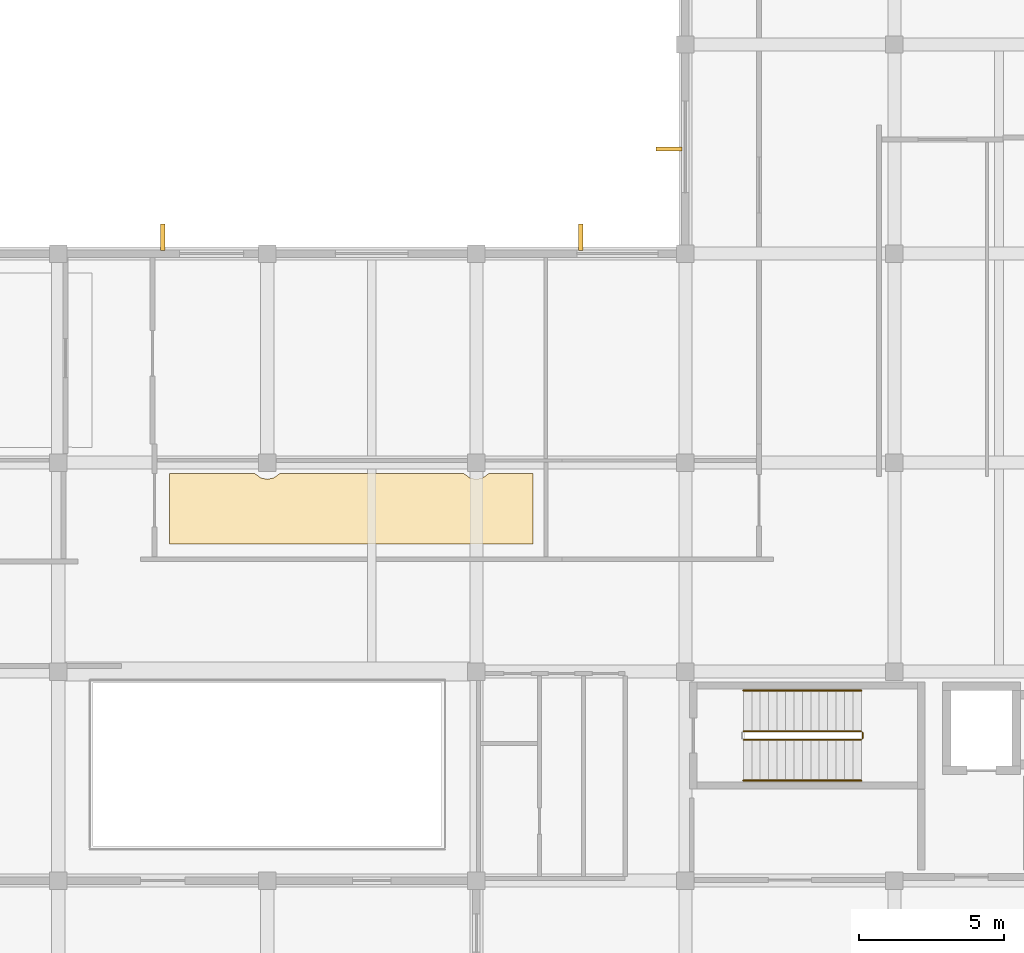
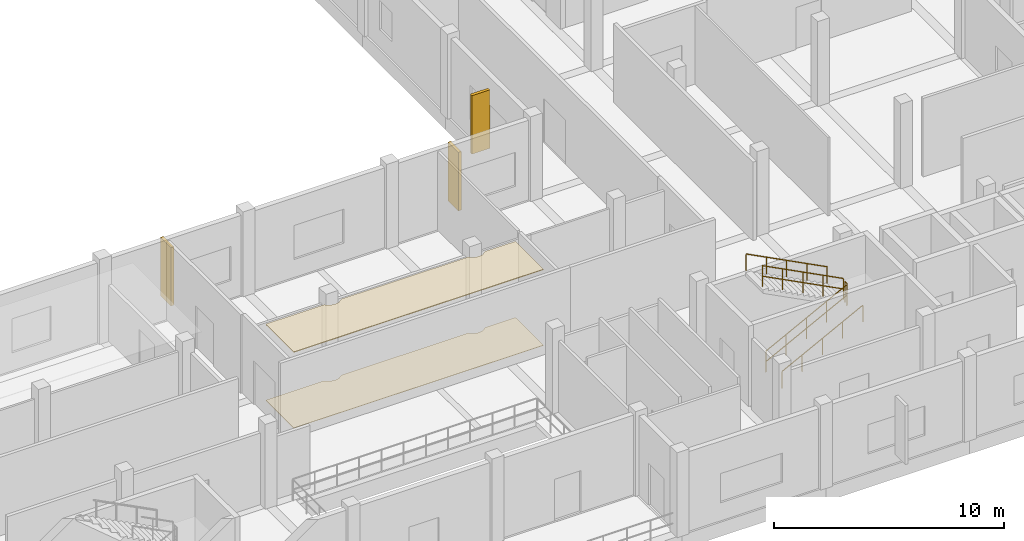
# One storey, part 10 of 14: 5 railings, 3 shading devices, 2 coverings.
"""IFC4 building model written with IfcOpenShell, lengths in metres."""

from ifc_helpers import new_model, si_unit, direction, frame, origin, origin_2d, place, context, subcontext, project, spatial, polyline, rectangle, circle, outline, extrude, material, layer, layer_set, type_object, element, save


model = new_model("IFC4")

# Units and contexts
model_context = context("Model", 3, precision=1e-05, world=origin(), true_north=direction((0.0, 1.0)))
body_context = subcontext(model_context, "Body", "Model", "MODEL_VIEW")
ifc_project = project(units=[si_unit("LENGTHUNIT", "METRE"), si_unit("AREAUNIT", "SQUARE_METRE"), si_unit("VOLUMEUNIT", "CUBIC_METRE"), si_unit("PLANEANGLEUNIT", "RADIAN"), si_unit("MASSUNIT", "GRAM", prefix="KILO")], contexts=[model_context])

# Site, building, storey
site_placement = place(None, origin())
site = spatial("IfcSite", under=ifc_project, at=site_placement, CompositionType="ELEMENT")
building_placement = place(site_placement, origin())
building = spatial("IfcBuilding", under=site, at=building_placement, Name="Seraya Terrace Polytechnic", CompositionType="ELEMENT")
storey_placement = place(building_placement, frame((0.0, 0.0, 27.89990234375)))
storey = spatial("IfcBuildingStorey", under=building, at=storey_placement, Name="L06", CompositionType="ELEMENT", Elevation=27.89990234375)

# Shading devices
ifc_material_1 = material(Name="Precast concrete C40/50", Category="concrete")
shading_device_type = type_object("IfcShadingDeviceType", Name="BS-F1", PredefinedType="JALOUSIE", material=ifc_material_1)
for number, where, z_axis, x_axis, name in (
    (1, (61.199951171875, 29.360107421875, 0.449951171875), (0.0, 0.0, 1.0), (0.0, 1.0, 0.0), "Precast concrete brise-soleil fin L06"),
    (2, (75.60009765625, 29.360107421875, 0.449951171875), (0.0, 0.0, 1.0), (0.0, 1.0, 0.0), "Precast concrete brise-soleil fin L06"),
    (3, (78.639892578125, 32.39990234375, 0.449951171875), (0.0, 0.0, 1.0), (-1.0, 0.0, 0.0), "Precast concrete brise-soleil fin L06"),
):
    element("IfcShadingDevice", number, at=place(storey_placement, frame(where, z_axis=z_axis, x_axis=x_axis)), inside=storey, type_object=shading_device_type, Name=name, PredefinedType="JALOUSIE", context=body_context, shape_type="SweptSolid", body=[
        extrude(rectangle(XDim=0.89990234375, YDim=0.14990234375, at=origin_2d()), origin(), (0.0, 0.0, 1.0), 3.10009765625),
    ])

# Coverings
ifc_material_2 = material(Name="Acoustic mineral fibre and timber baffle ceiling", Category="wood")
ifc_layer_1 = layer(ifc_material_2, 0.0400390625, Name="CL-01")
ifc_layer_set_1 = layer_set([ifc_layer_1], Name="Acoustic mineral fibre and timber baffle ceiling")
covering_type_1 = type_object("IfcCoveringType", Name="CL-01", PredefinedType="CEILING", material=ifc_layer_set_1)
covering_1_placement = place(storey_placement, frame((0.0, 0.0, 4.010009765625)))
element("IfcCovering", 4, at=covering_1_placement, inside=storey, type_object=covering_type_1, Name="Acoustic suspended ceiling L06-A03", PredefinedType="CEILING", context=body_context, shape_type="SweptSolid", body=[
    extrude(outline(polyline([(61.43994140625, 21.223388671875), (64.3671875, 21.223388671875), (64.580078125, 21.0693359375), (64.800048828125, 21.025634765625), (65.019775390625, 21.0693359375), (65.232666015625, 21.223388671875), (71.5673828125, 21.223388671875), (71.7802734375, 21.0693359375), (72.0, 21.025634765625), (72.2197265625, 21.0693359375), (72.4326171875, 21.223388671875), (73.949951171875, 21.223388671875), (73.949951171875, 18.7900390625), (61.43994140625, 18.7900390625), (61.43994140625, 21.223388671875)])), origin(), (0.0, 0.0, 1.0), 0.0400390625),
])
ifc_material_3 = material(Name="Heavy-duty epoxy and terrazzo floor finish")
ifc_layer_2 = layer(ifc_material_3, 0.02001953125, Name="FL-C1")
ifc_layer_set_2 = layer_set([ifc_layer_2], Name="Heavy-duty epoxy and terrazzo floor finish")
covering_type_2 = type_object("IfcCoveringType", Name="FL-C1", PredefinedType="FLOORING", material=ifc_layer_set_2)
covering_2_placement = place(storey_placement, origin())
element("IfcCovering", 5, at=covering_2_placement, inside=storey, type_object=covering_type_2, Name="Floor finish L06-A03", PredefinedType="FLOORING", context=body_context, shape_type="SweptSolid", body=[
    extrude(outline(polyline([(61.43994140625, 21.223388671875), (64.3671875, 21.223388671875), (64.580078125, 21.0693359375), (64.800048828125, 21.025634765625), (65.019775390625, 21.0693359375), (65.232666015625, 21.223388671875), (71.5673828125, 21.223388671875), (71.7802734375, 21.0693359375), (72.0, 21.025634765625), (72.2197265625, 21.0693359375), (72.4326171875, 21.223388671875), (73.949951171875, 21.223388671875), (73.949951171875, 18.7900390625), (61.43994140625, 18.7900390625), (61.43994140625, 21.223388671875)])), origin(), (0.0, 0.0, 1.0), 0.02001953125),
])

# Railings
ifc_material_4 = material(Name="Steel S355J2", Category="steel")
railing_type_1 = type_object("IfcRailingType", Name="GR-02", PredefinedType="GUARDRAIL", material=ifc_material_4)
railing_1_placement = place(storey_placement, frame((81.199951171875, 12.050048828125, 0.150146484375)))
element("IfcRailing", 6, at=railing_1_placement, inside=storey, type_object=railing_type_1, Name="L06 ST-01 stair guard 1", PredefinedType="GUARDRAIL", context=body_context, shape_type="SweptSolid", body=[
    extrude(circle(Radius=0.02392578125, at=origin_2d()), frame((0.0, 0.0, 1.10595703125), z_axis=(0.888233425583, 0.0, 0.459392404897), x_axis=(0.0, 1.0, 0.0)), (0.0, 0.0, 1.0), 4.571044921875),
    extrude(circle(Radius=0.02392578125, at=origin_2d()), frame((0.0, 0.0, 0.550048828125), z_axis=(0.888233425583, 0.0, 0.459392404897), x_axis=(0.0, 1.0, 0.0)), (0.0, 0.0, 1.0), 4.571044921875),
    extrude(circle(Radius=0.02099609375, at=origin_2d()), origin(), (0.0, 0.0, 1.0), 1.081787109375),
    extrude(circle(Radius=0.02099609375, at=origin_2d()), frame((1.01513671875, 0.0, 0.52490234375)), (0.0, 0.0, 1.0), 1.081787109375),
    extrude(circle(Radius=0.02099609375, at=origin_2d()), frame((2.030029296875, 0.0, 1.0498046875)), (0.0, 0.0, 1.0), 1.081787109375),
    extrude(circle(Radius=0.02099609375, at=origin_2d()), frame((3.044921875, 0.0, 1.574951171875)), (0.0, 0.0, 1.0), 1.081787109375),
    extrude(circle(Radius=0.02099609375, at=origin_2d()), frame((4.06005859375, 0.0, 2.099853515625)), (0.0, 0.0, 1.0), 1.081787109375),
])
railing_2_placement = place(storey_placement, frame((85.31005859375, 12.10009765625, 2.25)))
element("IfcRailing", 7, at=railing_2_placement, inside=storey, type_object=railing_type_1, Name="L06 ST-01 stair guard 2", PredefinedType="GUARDRAIL", context=body_context, shape_type="SweptSolid", body=[
    extrude(circle(Radius=0.02392578125, at=origin_2d()), frame((0.0, 0.0, 1.10595703125), z_axis=(0.0, 1.0, 0.0), x_axis=(-1.0, 0.0, 0.0)), (0.0, 0.0, 1.0), 0.199951171875),
    extrude(circle(Radius=0.02392578125, at=origin_2d()), frame((0.0, 0.0, 0.550048828125), z_axis=(0.0, 1.0, 0.0), x_axis=(-1.0, 0.0, 0.0)), (0.0, 0.0, 1.0), 0.199951171875),
    extrude(circle(Radius=0.02099609375, at=origin_2d()), origin(), (0.0, 0.0, 1.0), 1.081787109375),
    extrude(circle(Radius=0.02099609375, at=origin_2d()), frame((0.0, 0.199951171875, 0.0)), (0.0, 0.0, 1.0), 1.081787109375),
])
railing_3_placement = place(storey_placement, frame((85.260009765625, 12.35009765625, 2.400146484375)))
element("IfcRailing", 8, at=railing_3_placement, inside=storey, type_object=railing_type_1, Name="L06 ST-01 stair guard 3", PredefinedType="GUARDRAIL", context=body_context, shape_type="SweptSolid", body=[
    extrude(circle(Radius=0.02392578125, at=origin_2d()), frame((0.0, 0.0, 1.10595703125), z_axis=(-0.888233425583, 0.0, 0.459392404897), x_axis=(0.0, -1.0, 0.0)), (0.0, 0.0, 1.0), 4.571044921875),
    extrude(circle(Radius=0.02392578125, at=origin_2d()), frame((0.0, 0.0, 0.550048828125), z_axis=(-0.888233425583, 0.0, 0.459392404897), x_axis=(0.0, -1.0, 0.0)), (0.0, 0.0, 1.0), 4.571044921875),
    extrude(circle(Radius=0.02099609375, at=origin_2d()), origin(), (0.0, 0.0, 1.0), 1.081787109375),
    extrude(circle(Radius=0.02099609375, at=origin_2d()), frame((-1.01513671875, 0.0, 0.52490234375)), (0.0, 0.0, 1.0), 1.081787109375),
    extrude(circle(Radius=0.02099609375, at=origin_2d()), frame((-2.030029296875, 0.0, 1.0498046875)), (0.0, 0.0, 1.0), 1.081787109375),
    extrude(circle(Radius=0.02099609375, at=origin_2d()), frame((-3.044921875, 0.0, 1.574951171875)), (0.0, 0.0, 1.0), 1.081787109375),
    extrude(circle(Radius=0.02099609375, at=origin_2d()), frame((-4.06005859375, 0.0, 2.099853515625)), (0.0, 0.0, 1.0), 1.081787109375),
])
railing_type_2 = type_object("IfcRailingType", Name="HR-01", PredefinedType="HANDRAIL", material=ifc_material_4)
railing_4_placement = place(storey_placement, frame((81.199951171875, 10.64990234375, 0.150146484375)))
element("IfcRailing", 9, at=railing_4_placement, inside=storey, type_object=railing_type_2, Name="L06 ST-01 stair handrail 1", PredefinedType="HANDRAIL", context=body_context, shape_type="SweptSolid", body=[
    extrude(circle(Radius=0.02392578125, at=origin_2d()), frame((0.0, 0.0, 0.8759765625), z_axis=(0.888233425583, 0.0, 0.459392404897), x_axis=(0.0, 1.0, 0.0)), (0.0, 0.0, 1.0), 4.571044921875),
    extrude(circle(Radius=0.02099609375, at=origin_2d()), origin(), (0.0, 0.0, 1.0), 0.851806640625),
    extrude(circle(Radius=0.02099609375, at=origin_2d()), frame((1.01513671875, 0.0, 0.52490234375)), (0.0, 0.0, 1.0), 0.851806640625),
    extrude(circle(Radius=0.02099609375, at=origin_2d()), frame((2.030029296875, 0.0, 1.0498046875)), (0.0, 0.0, 1.0), 0.851806640625),
    extrude(circle(Radius=0.02099609375, at=origin_2d()), frame((3.044921875, 0.0, 1.574951171875)), (0.0, 0.0, 1.0), 0.851806640625),
    extrude(circle(Radius=0.02099609375, at=origin_2d()), frame((4.06005859375, 0.0, 2.099853515625)), (0.0, 0.0, 1.0), 0.851806640625),
])
railing_5_placement = place(storey_placement, frame((85.260009765625, 13.75, 2.400146484375)))
element("IfcRailing", 10, at=railing_5_placement, inside=storey, type_object=railing_type_2, Name="L06 ST-01 stair handrail 2", PredefinedType="HANDRAIL", context=body_context, shape_type="SweptSolid", body=[
    extrude(circle(Radius=0.02392578125, at=origin_2d()), frame((0.0, 0.0, 0.8759765625), z_axis=(-0.888233425583, 0.0, 0.459392404897), x_axis=(0.0, -1.0, 0.0)), (0.0, 0.0, 1.0), 4.571044921875),
    extrude(circle(Radius=0.02099609375, at=origin_2d()), origin(), (0.0, 0.0, 1.0), 0.851806640625),
    extrude(circle(Radius=0.02099609375, at=origin_2d()), frame((-1.01513671875, 0.0, 0.52490234375)), (0.0, 0.0, 1.0), 0.851806640625),
    extrude(circle(Radius=0.02099609375, at=origin_2d()), frame((-2.030029296875, 0.0, 1.0498046875)), (0.0, 0.0, 1.0), 0.851806640625),
    extrude(circle(Radius=0.02099609375, at=origin_2d()), frame((-3.044921875, 0.0, 1.574951171875)), (0.0, 0.0, 1.0), 0.851806640625),
    extrude(circle(Radius=0.02099609375, at=origin_2d()), frame((-4.06005859375, 0.0, 2.099853515625)), (0.0, 0.0, 1.0), 0.851806640625),
])

save(model, "model.ifc")
